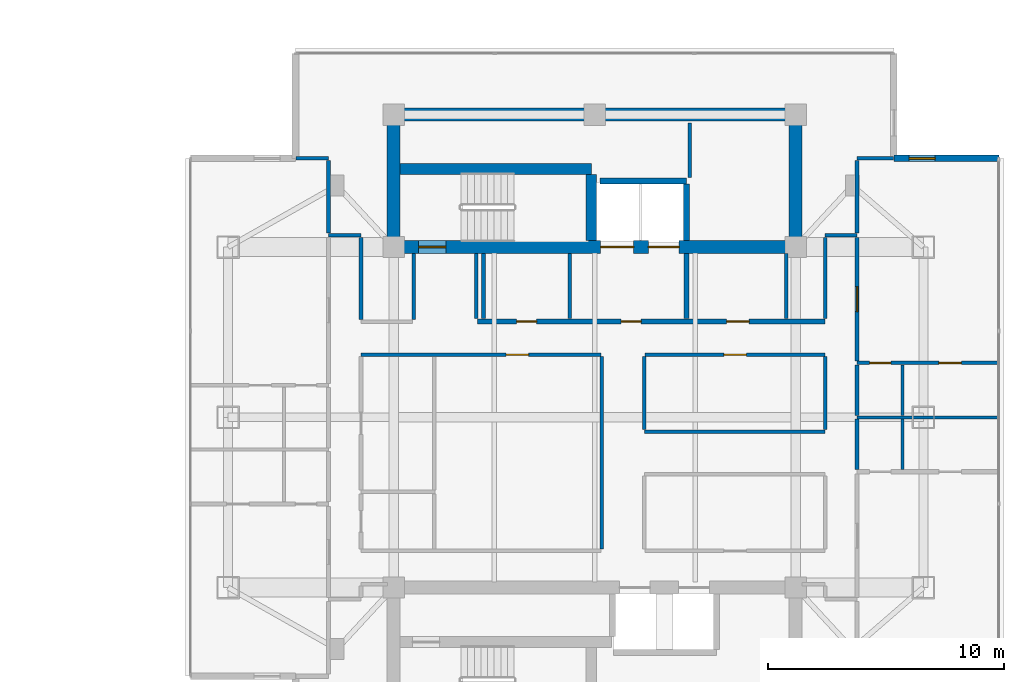
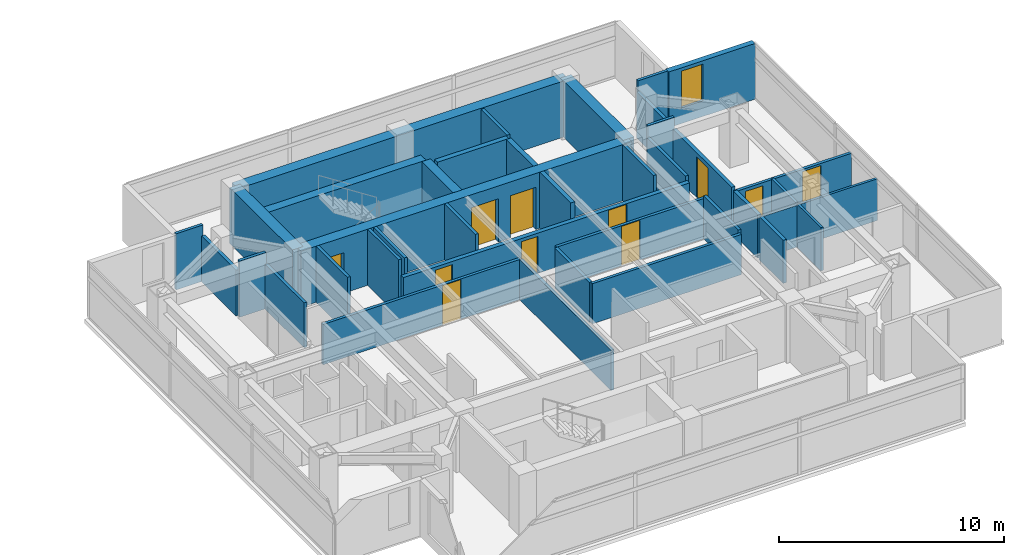
# One storey, part 17 of 24: 38 walls, 11 doors, 1 window, 12 openings.
"""IFC4 building model written with IfcOpenShell, lengths in metres."""

from ifc_helpers import new_model, si_unit, direction, frame, frame_2d, origin, place, context, subcontext, project, spatial, rectangle, extrude, material, layer, layer_set, type_object, element, fill, save


model = new_model("IFC4")

# Units and contexts
model_context = context("Model", 3, precision=1e-05, world=origin(), true_north=direction((0.0, 1.0)))
body_context = subcontext(model_context, "Body", "Model", "MODEL_VIEW")
ifc_project = project(units=[si_unit("LENGTHUNIT", "METRE"), si_unit("AREAUNIT", "SQUARE_METRE"), si_unit("VOLUMEUNIT", "CUBIC_METRE"), si_unit("PLANEANGLEUNIT", "RADIAN"), si_unit("MASSUNIT", "GRAM", prefix="KILO")], contexts=[model_context])

# Site, building, storey
site_placement = place(None, origin())
site = spatial("IfcSite", under=ifc_project, at=site_placement, CompositionType="ELEMENT")
building_placement = place(site_placement, origin())
building = spatial("IfcBuilding", under=site, at=building_placement, Name="Mirazonda Arch Towers", CompositionType="ELEMENT")
storey_placement = place(building_placement, frame((0.0, 0.0, 193.39990234375)))
storey = spatial("IfcBuildingStorey", under=building, at=storey_placement, Name="L55", CompositionType="ELEMENT", Elevation=193.39990234375)

# Walls
ifc_material_1 = material(Name="Concrete C50/60", Category="concrete")
ifc_layer_1 = layer(ifc_material_1, 0.449951171875, Name="WALL-CORE-450")
ifc_layer_set_1 = layer_set([ifc_layer_1], Name="Concrete C50/60")
wall_type_1 = type_object("IfcWallType", Name="WALL-CORE-450", PredefinedType="SHEAR", material=ifc_layer_set_1)
wall_1_placement = place(storey_placement, frame((68.27001953125, 38.5, 0.0), z_axis=(0.0, 0.0, 1.0), x_axis=(1.0, 0.0, 0.0)))
element("IfcWall", 1, at=wall_1_placement, inside=storey, type_object=wall_type_1, Name="L55 Stair Core Shear Wall 050", PredefinedType="SHEAR", context=body_context, shape_type="SweptSolid", body=[
    extrude(rectangle(XDim=8.090087890625, YDim=0.449951171875, at=frame_2d((4.044921875, 0.0))), origin(), (0.0, 0.0, 1.0), 3.050048828125),
])
wall_2_placement = place(storey_placement, frame((76.360107421875, 35.469970703125, 0.0), z_axis=(0.0, 0.0, 1.0), x_axis=(0.0, 1.0, 0.0)))
element("IfcWall", 2, at=wall_2_placement, inside=storey, type_object=wall_type_1, Name="L55 Stair Core Shear Wall 130", PredefinedType="SHEAR", context=body_context, shape_type="SweptSolid", body=[
    extrude(rectangle(XDim=2.794921875, YDim=0.449951171875, at=frame_2d((1.3974609375, 0.0))), origin(), (0.0, 0.0, 1.0), 3.050048828125),
])
ifc_layer_2 = layer(ifc_material_1, 0.550048828125, Name="WALL-CORE-550")
ifc_layer_set_2 = layer_set([ifc_layer_2], Name="Concrete C50/60")
wall_type_2 = type_object("IfcWallType", Name="WALL-CORE-550", PredefinedType="SHEAR", material=ifc_layer_set_2)
wall_3_placement = place(storey_placement, frame((68.0, 40.800048828125, 0.0), z_axis=(0.0, 0.0, 1.0), x_axis=(1.0, 0.0, 0.0)))
element("IfcWall", 3, at=wall_3_placement, inside=storey, type_object=wall_type_2, Name="L55 T2N-N Core Shear Wall", PredefinedType="SHEAR", context=body_context, shape_type="SweptSolid", body=[
    extrude(rectangle(XDim=17.0, YDim=0.550048828125, at=frame_2d((8.5, 0.0))), origin(), (0.0, 0.0, 1.0), 3.050048828125),
])
for number, where, z_axis, x_axis, name in (
    (4, (68.0, 35.199951171875, 0.0), (0.0, 0.0, 1.0), (0.0, 1.0, 0.0), "L55 T2N-W Core Shear Wall"),
    (5, (85.0, 35.199951171875, 0.0), (0.0, 0.0, 1.0), (0.0, 1.0, 0.0), "L55 T2N-E Core Shear Wall"),
):
    element("IfcWall", number, at=place(storey_placement, frame(where, z_axis=z_axis, x_axis=x_axis)), inside=storey, type_object=wall_type_2, Name=name, PredefinedType="SHEAR", context=body_context, shape_type="SweptSolid", body=[
        extrude(rectangle(XDim=5.60009765625, YDim=0.550048828125, at=frame_2d((2.800048828125, 0.0))), origin(), (0.0, 0.0, 1.0), 3.050048828125),
    ])

# Wall, openings, doors
wall_4_placement = place(storey_placement, frame((68.0, 35.199951171875, 0.0), z_axis=(0.0, 0.0, 1.0), x_axis=(1.0, 0.0, 0.0)))
wall_4 = element("IfcWall", 6, at=wall_4_placement, inside=storey, type_object=wall_type_2, Name="L55 T2N-S Core Shear Wall", PredefinedType="SHEAR", context=body_context, shape_type="SweptSolid", body=[
    extrude(rectangle(XDim=17.0, YDim=0.550048828125, at=frame_2d((8.5, 0.0))), origin(), (0.0, 0.0, 1.0), 3.050048828125),
])
opening_1_placement = place(wall_4_placement, frame((1.06005859375, 0.0, 0.0)))
opening_1 = element("IfcOpeningElement", 7, at=opening_1_placement, cuts=wall_4, Name="Opening DR-135", PredefinedType="OPENING", context=body_context, shape_type="SweptSolid", body=[
    extrude(rectangle(XDim=1.14990234375, YDim=2.199951171875, at=frame_2d((0.574951171875, 1.10009765625))), frame((0.0, 0.284912109375, 0.0), z_axis=(0.0, -1.0, 0.0), x_axis=(1.0, 0.0, 0.0)), (0.0, 0.0, 1.0), 0.570068359375),
])
opening_2_placement = place(wall_4_placement, frame((8.75, 0.0, 0.0)))
opening_2 = element("IfcOpeningElement", 8, at=opening_2_placement, cuts=wall_4, Name="Opening LD-112", PredefinedType="OPENING", context=body_context, shape_type="SweptSolid", body=[
    extrude(rectangle(XDim=1.39990234375, YDim=2.35009765625, at=frame_2d((0.699951171875, 1.175048828125))), frame((0.0, 0.284912109375, 0.0), z_axis=(0.0, -1.0, 0.0), x_axis=(1.0, 0.0, 0.0)), (0.0, 0.0, 1.0), 0.570068359375),
])
opening_3_placement = place(wall_4_placement, frame((10.77001953125, 0.0, 0.0)))
opening_3 = element("IfcOpeningElement", 9, at=opening_3_placement, cuts=wall_4, Name="Opening LD-111", PredefinedType="OPENING", context=body_context, shape_type="SweptSolid", body=[
    extrude(rectangle(XDim=1.300048828125, YDim=2.300048828125, at=frame_2d((0.64990234375, 1.14990234375))), frame((0.0, 0.284912109375, 0.0), z_axis=(0.0, -1.0, 0.0), x_axis=(1.0, 0.0, 0.0)), (0.0, 0.0, 1.0), 0.570068359375),
])
ifc_material_2 = material(Name="Architectural Brushed Steel S355", Category="steel")
door_type_1 = type_object("IfcDoorType", Name="DOOR-LIFT-FFL-1400", OperationType="NOTDEFINED", PredefinedType="DOOR", material=ifc_material_2)
door_1_placement = place(opening_2_placement, origin())
door_1 = element("IfcDoor", 10, at=door_1_placement, inside=storey, type_object=door_type_1, Name="L55 Lift Landing Sliding Door FFL-T2", OperationType="DOUBLE_DOOR_SLIDING", OverallHeight=2.35009765625, OverallWidth=1.39990234375, PredefinedType="DOOR", context=body_context, shape_type="SweptSolid", body=[
    extrude(rectangle(XDim=1.39990234375, YDim=2.35009765625, at=frame_2d((0.699951171875, 1.175048828125))), frame((0.0, 0.02490234375, 0.0), z_axis=(0.0, -1.0, 0.0), x_axis=(1.0, 0.0, 0.0)), (0.0, 0.0, 1.0), 0.050048828125),
])
fill(opening_2, door_1)
door_type_2 = type_object("IfcDoorType", Name="DOOR-LIFT-LAND-1300", OperationType="NOTDEFINED", PredefinedType="DOOR", material=ifc_material_2)
door_2_placement = place(opening_3_placement, origin())
door_2 = element("IfcDoor", 11, at=door_2_placement, inside=storey, type_object=door_type_2, Name="L55 Lift Landing Sliding Door SVL-T2", OperationType="DOUBLE_DOOR_SLIDING", OverallHeight=2.300048828125, OverallWidth=1.300048828125, PredefinedType="DOOR", context=body_context, shape_type="SweptSolid", body=[
    extrude(rectangle(XDim=1.300048828125, YDim=2.300048828125, at=frame_2d((0.64990234375, 1.14990234375))), frame((0.0, 0.02490234375, 0.0), z_axis=(0.0, -1.0, 0.0), x_axis=(1.0, 0.0, 0.0)), (0.0, 0.0, 1.0), 0.050048828125),
])
fill(opening_3, door_2)
door_type_3 = type_object("IfcDoorType", Name="DOOR-STAIR-FD90-1150", OperationType="NOTDEFINED", PredefinedType="DOOR", material=ifc_material_2)
door_3_placement = place(opening_1_placement, origin())
door_3 = element("IfcDoor", 12, at=door_3_placement, inside=storey, type_object=door_type_3, Name="L55 East Protected Stair North Door", OperationType="SINGLE_SWING_RIGHT", OverallHeight=2.199951171875, OverallWidth=1.14990234375, PredefinedType="DOOR", context=body_context, shape_type="SweptSolid", body=[
    extrude(rectangle(XDim=1.14990234375, YDim=2.199951171875, at=frame_2d((0.574951171875, 1.10009765625))), frame((0.0, 0.02490234375, 0.0), z_axis=(0.0, -1.0, 0.0), x_axis=(1.0, 0.0, 0.0)), (0.0, 0.0, 1.0), 0.050048828125),
])
fill(opening_1, door_3)

# Wall, opening, window
ifc_material_3 = material(Name="Precast Concrete C40/50", Category="concrete")
ifc_layer_3 = layer(ifc_material_3, 0.280029296875, Name="WALL-EXT-WALL-280")
ifc_layer_set_3 = layer_set([ifc_layer_3], Name="Precast Concrete C40/50")
wall_type_3 = type_object("IfcWallType", Name="WALL-EXT-WALL-280", PredefinedType="SOLIDWALL", material=ifc_layer_set_3)
wall_5_placement = place(storey_placement, frame((93.591552734375, 38.94873046875, 0.0), z_axis=(0.0, 0.0, 1.0), x_axis=(-1.0, 0.0, 0.0)))
wall_5 = element("IfcWall", 13, at=wall_5_placement, inside=storey, type_object=wall_type_3, Name="L55 T2 Corner Notch Return Wall WL-L55-T2-CNE2", PredefinedType="SOLIDWALL", context=body_context, shape_type="SweptSolid", body=[
    extrude(rectangle(XDim=4.439697265625, YDim=0.280029296875, at=frame_2d((2.2197265625, 0.0))), origin(), (0.0, 0.0, 1.0), 3.030029296875),
])
opening_4_placement = place(wall_5_placement, frame((2.68994140625, 0.0, 0.85009765625)))
opening_4 = element("IfcOpeningElement", 14, at=opening_4_placement, cuts=wall_5, Name="Opening WN-108", PredefinedType="OPENING", context=body_context, shape_type="SweptSolid", body=[
    extrude(rectangle(XDim=1.10009765625, YDim=2.0, at=frame_2d((0.550048828125, 1.0))), frame((0.0, 0.14990234375, 0.0), z_axis=(0.0, -1.0, 0.0), x_axis=(1.0, 0.0, 0.0)), (0.0, 0.0, 1.0), 0.300048828125),
])
ifc_material_4 = material(Name="Insulated Low-E Solar Glass", Category="glass")
window_type = type_object("IfcWindowType", Name="WIN-NOTCH-1100x2000", PartitioningType="SINGLE_PANEL", PredefinedType="WINDOW", material=ifc_material_4)
window_placement = place(opening_4_placement, origin())
window = element("IfcWindow", 15, at=window_placement, inside=storey, type_object=window_type, Name="L55 Punched Facade Window WN-L55-T2-CNE2", OverallHeight=2.0, OverallWidth=1.10009765625, PartitioningType="SINGLE_PANEL", PredefinedType="WINDOW", context=body_context, shape_type="SweptSolid", body=[
    extrude(rectangle(XDim=1.10009765625, YDim=2.0, at=frame_2d((0.550048828125, 1.0))), frame((0.0, 0.030029296875, 0.0), z_axis=(0.0, -1.0, 0.0), x_axis=(1.0, 0.0, 0.0)), (0.0, 0.0, 1.0), 0.06005859375),
])
fill(opening_4, window)

# Wall, openings, doors
ifc_material_5 = material(Name="Concrete C40/50", Category="concrete")
ifc_layer_4 = layer(ifc_material_5, 0.219970703125, Name="WALL-FFL-220")
ifc_layer_set_4 = layer_set([ifc_layer_4], Name="Concrete C40/50")
wall_type_4 = type_object("IfcWallType", Name="WALL-FFL-220", PredefinedType="SOLIDWALL", material=ifc_layer_set_4)
wall_6_placement = place(storey_placement, frame((71.550048828125, 32.050048828125, 0.0), z_axis=(0.0, 0.0, 1.0), x_axis=(1.0, 0.0, 0.0)))
wall_6 = element("IfcWall", 16, at=wall_6_placement, inside=storey, type_object=wall_type_4, Name="L55 Interior Partition 042", PredefinedType="SOLIDWALL", context=body_context, shape_type="SweptSolid", body=[
    extrude(rectangle(XDim=14.699951171875, YDim=0.219970703125, at=frame_2d((7.35009765625, 0.0))), origin(), (0.0, 0.0, 1.0), 2.18603515625),
])
opening_5_placement = place(wall_6_placement, frame((6.06494140625, 0.0, 0.0)))
opening_5 = element("IfcOpeningElement", 17, at=opening_5_placement, cuts=wall_6, Name="Opening DR-128", PredefinedType="OPENING", context=body_context, shape_type="SweptSolid", body=[
    extrude(rectangle(XDim=0.85009765625, YDim=2.010009765625, at=frame_2d((0.425048828125, 1.0048828125))), frame((0.0, 0.119873046875, 0.0), z_axis=(0.0, -1.0, 0.0), x_axis=(1.0, 0.0, 0.0)), (0.0, 0.0, 1.0), 0.239990234375),
])
opening_6_placement = place(wall_6_placement, frame((10.534912109375, 0.0, 0.0)))
opening_6 = element("IfcOpeningElement", 18, at=opening_6_placement, cuts=wall_6, Name="Opening DR-104", PredefinedType="OPENING", context=body_context, shape_type="SweptSolid", body=[
    extrude(rectangle(XDim=0.949951171875, YDim=2.14990234375, at=frame_2d((0.47509765625, 1.074951171875))), frame((0.0, 0.119873046875, 0.0), z_axis=(0.0, -1.0, 0.0), x_axis=(1.0, 0.0, 0.0)), (0.0, 0.0, 1.0), 0.239990234375),
])
opening_7_placement = place(wall_6_placement, frame((1.64990234375, 0.0, 0.0)))
opening_7 = element("IfcOpeningElement", 19, at=opening_7_placement, cuts=wall_6, Name="Opening DR-128", PredefinedType="OPENING", context=body_context, shape_type="SweptSolid", body=[
    extrude(rectangle(XDim=0.85009765625, YDim=2.010009765625, at=frame_2d((0.425048828125, 1.0048828125))), frame((0.0, 0.119873046875, 0.0), z_axis=(0.0, -1.0, 0.0), x_axis=(1.0, 0.0, 0.0)), (0.0, 0.0, 1.0), 0.239990234375),
])
door_type_4 = type_object("IfcDoorType", Name="DOOR-RISER-FD60-850", OperationType="NOTDEFINED", PredefinedType="DOOR", material=ifc_material_2)
door_4_placement = place(opening_5_placement, origin())
door_4 = element("IfcDoor", 20, at=door_4_placement, inside=storey, type_object=door_type_4, Name="L55 East Firefighting Lift Lobby Door", OperationType="SINGLE_SWING_LEFT", OverallHeight=2.010009765625, OverallWidth=0.85009765625, PredefinedType="DOOR", context=body_context, shape_type="SweptSolid", body=[
    extrude(rectangle(XDim=0.85009765625, YDim=2.010009765625, at=frame_2d((0.425048828125, 1.0048828125))), frame((0.0, 0.02490234375, 0.0), z_axis=(0.0, -1.0, 0.0), x_axis=(1.0, 0.0, 0.0)), (0.0, 0.0, 1.0), 0.050048828125),
])
fill(opening_5, door_4)
door_5_placement = place(opening_7_placement, origin())
door_5 = element("IfcDoor", 21, at=door_5_placement, inside=storey, type_object=door_type_4, Name="L55 Tower 2 Housekeeping & Linen Room Door", OperationType="SINGLE_SWING_LEFT", OverallHeight=2.010009765625, OverallWidth=0.85009765625, PredefinedType="DOOR", context=body_context, shape_type="SweptSolid", body=[
    extrude(rectangle(XDim=0.85009765625, YDim=2.010009765625, at=frame_2d((0.425048828125, 1.0048828125))), frame((0.0, 0.02490234375, 0.0), z_axis=(0.0, -1.0, 0.0), x_axis=(1.0, 0.0, 0.0)), (0.0, 0.0, 1.0), 0.050048828125),
])
fill(opening_7, door_5)
door_type_5 = type_object("IfcDoorType", Name="DOOR-ROOM-950", OperationType="NOTDEFINED", PredefinedType="DOOR", material=ifc_material_2)
door_6_placement = place(opening_6_placement, origin())
door_6 = element("IfcDoor", 22, at=door_6_placement, inside=storey, type_object=door_type_5, Name="L55 East Sky Reading Library Door", OperationType="SINGLE_SWING_RIGHT", OverallHeight=2.14990234375, OverallWidth=0.949951171875, PredefinedType="DOOR", context=body_context, shape_type="SweptSolid", body=[
    extrude(rectangle(XDim=0.949951171875, YDim=2.14990234375, at=frame_2d((0.47509765625, 1.074951171875))), frame((0.0, 0.02490234375, 0.0), z_axis=(0.0, -1.0, 0.0), x_axis=(1.0, 0.0, 0.0)), (0.0, 0.0, 1.0), 0.050048828125),
])
fill(opening_6, door_6)

# Walls
wall_7_placement = place(storey_placement, frame((80.3798828125, 32.169921875, 0.0), z_axis=(0.0, 0.0, 1.0), x_axis=(0.0, 1.0, 0.0)))
element("IfcWall", 23, at=wall_7_placement, inside=storey, type_object=wall_type_4, Name="L55 Interior Partition 135", PredefinedType="SOLIDWALL", context=body_context, shape_type="SweptSolid", body=[
    extrude(rectangle(XDim=2.760009765625, YDim=0.219970703125, at=frame_2d((1.3798828125, 0.0))), origin(), (0.0, 0.0, 1.0), 3.050048828125),
])
ifc_material_6 = material(Name="Fire-Rated Gypsum Stud Partition")
ifc_layer_5 = layer(ifc_material_6, 0.14990234375, Name="WALL-PART-CORR-150")
ifc_layer_set_5 = layer_set([ifc_layer_5], Name="Fire-Rated Gypsum Stud Partition")
wall_type_5 = type_object("IfcWallType", Name="WALL-PART-CORR-150", PredefinedType="PARTITIONING", material=ifc_layer_set_5)
wall_8_placement = place(storey_placement, frame((78.60009765625, 27.39990234375, 0.0), z_axis=(0.0, 0.0, 1.0), x_axis=(1.0, 0.0, 0.0)))
element("IfcWall", 24, at=wall_8_placement, inside=storey, type_object=wall_type_5, Name="L55 Interior Partition 033", PredefinedType="PARTITIONING", context=body_context, shape_type="SweptSolid", body=[
    extrude(rectangle(XDim=7.64990234375, YDim=0.14990234375, at=frame_2d((3.824951171875, 0.0))), origin(), (0.0, 0.0, 1.0), 2.18603515625),
])

# Wall, openings, doors
wall_9_placement = place(storey_placement, frame((87.60009765625, 30.300048828125, 0.0), z_axis=(0.0, 0.0, 1.0), x_axis=(1.0, 0.0, 0.0)))
wall_9 = element("IfcWall", 25, at=wall_9_placement, inside=storey, type_object=wall_type_5, Name="L55 Interior Partition 037", PredefinedType="PARTITIONING", context=body_context, shape_type="SweptSolid", body=[
    extrude(rectangle(XDim=5.990966796875, YDim=0.14990234375, at=frame_2d((2.99560546875, 0.0))), origin(), (0.0, 0.0, 1.0), 2.26904296875),
])
opening_8_placement = place(wall_9_placement, frame((3.458984375, 0.0, 0.0)))
opening_8 = element("IfcOpeningElement", 26, at=opening_8_placement, cuts=wall_9, Name="Opening DR-104", PredefinedType="OPENING", context=body_context, shape_type="SweptSolid", body=[
    extrude(rectangle(XDim=0.949951171875, YDim=2.14990234375, at=frame_2d((0.47509765625, 1.074951171875))), frame((0.0, 0.0849609375, 0.0), z_axis=(0.0, -1.0, 0.0), x_axis=(1.0, 0.0, 0.0)), (0.0, 0.0, 1.0), 0.169921875),
])
opening_9_placement = place(wall_9_placement, frame((0.528564453125, 0.0, 0.0)))
opening_9 = element("IfcOpeningElement", 27, at=opening_9_placement, cuts=wall_9, Name="Opening DR-120", PredefinedType="OPENING", context=body_context, shape_type="SweptSolid", body=[
    extrude(rectangle(XDim=0.89990234375, YDim=2.10009765625, at=frame_2d((0.449951171875, 1.050048828125))), frame((0.0, 0.0849609375, 0.0), z_axis=(0.0, -1.0, 0.0), x_axis=(1.0, 0.0, 0.0)), (0.0, 0.0, 1.0), 0.169921875),
])
door_7_placement = place(opening_8_placement, origin())
door_7 = element("IfcDoor", 28, at=door_7_placement, inside=storey, type_object=door_type_5, Name="L55 Studio 2 Galley Kitchen Door", OperationType="SINGLE_SWING_RIGHT", OverallHeight=2.14990234375, OverallWidth=0.949951171875, PredefinedType="DOOR", context=body_context, shape_type="SweptSolid", body=[
    extrude(rectangle(XDim=0.949951171875, YDim=2.14990234375, at=frame_2d((0.47509765625, 1.074951171875))), frame((0.0, 0.02490234375, 0.0), z_axis=(0.0, -1.0, 0.0), x_axis=(1.0, 0.0, 0.0)), (0.0, 0.0, 1.0), 0.050048828125),
])
fill(opening_8, door_7)
door_type_6 = type_object("IfcDoorType", Name="DOOR-WC-900", OperationType="NOTDEFINED", PredefinedType="DOOR", material=ifc_material_2)
door_8_placement = place(opening_9_placement, origin())
door_8 = element("IfcDoor", 29, at=door_8_placement, inside=storey, type_object=door_type_6, Name="L55 Studio 2 Bathroom Door", OperationType="SINGLE_SWING_LEFT", OverallHeight=2.10009765625, OverallWidth=0.89990234375, PredefinedType="DOOR", context=body_context, shape_type="SweptSolid", body=[
    extrude(rectangle(XDim=0.89990234375, YDim=2.10009765625, at=frame_2d((0.449951171875, 1.050048828125))), frame((0.0, 0.02490234375, 0.0), z_axis=(0.0, -1.0, 0.0), x_axis=(1.0, 0.0, 0.0)), (0.0, 0.0, 1.0), 0.050048828125),
])
fill(opening_9, door_8)

# Wall, opening, door
wall_10_placement = place(storey_placement, frame((66.6201171875, 30.64990234375, 0.0), z_axis=(0.0, 0.0, 1.0), x_axis=(1.0, 0.0, 0.0)))
wall_10 = element("IfcWall", 30, at=wall_10_placement, inside=storey, type_object=wall_type_5, Name="L55 Interior Partition 038", PredefinedType="PARTITIONING", context=body_context, shape_type="SweptSolid", body=[
    extrude(rectangle(XDim=10.139892578125, YDim=0.14990234375, at=frame_2d((5.06982421875, 0.0))), origin(), (0.0, 0.0, 1.0), 2.18603515625),
])
opening_10_placement = place(wall_10_placement, frame((6.139892578125, 0.0, 0.0)))
opening_10 = element("IfcOpeningElement", 31, at=opening_10_placement, cuts=wall_10, Name="Opening DR-104", PredefinedType="OPENING", context=body_context, shape_type="SweptSolid", body=[
    extrude(rectangle(XDim=0.949951171875, YDim=2.14990234375, at=frame_2d((0.47509765625, 1.074951171875))), frame((0.0, 0.0849609375, 0.0), z_axis=(0.0, -1.0, 0.0), x_axis=(1.0, 0.0, 0.0)), (0.0, 0.0, 1.0), 0.169921875),
])
door_9_placement = place(opening_10_placement, origin())
door_9 = element("IfcDoor", 32, at=door_9_placement, inside=storey, type_object=door_type_5, Name="L55 L55 East Courtyard Study Door", OperationType="SINGLE_SWING_LEFT", OverallHeight=2.14990234375, OverallWidth=0.949951171875, PredefinedType="DOOR", context=body_context, shape_type="SweptSolid", body=[
    extrude(rectangle(XDim=0.949951171875, YDim=2.14990234375, at=frame_2d((0.47509765625, 1.074951171875))), frame((0.0, 0.02490234375, 0.0), z_axis=(0.0, -1.0, 0.0), x_axis=(1.0, 0.0, 0.0)), (0.0, 0.0, 1.0), 0.050048828125),
])
fill(opening_10, door_9)

wall_11_placement = place(storey_placement, frame((78.639892578125, 30.64990234375, 0.0), z_axis=(0.0, 0.0, 1.0), x_axis=(1.0, 0.0, 0.0)))
wall_11 = element("IfcWall", 33, at=wall_11_placement, inside=storey, type_object=wall_type_5, Name="L55 Interior Partition 039", PredefinedType="PARTITIONING", context=body_context, shape_type="SweptSolid", body=[
    extrude(rectangle(XDim=7.610107421875, YDim=0.14990234375, at=frame_2d((3.80517578125, 0.0))), origin(), (0.0, 0.0, 1.0), 2.18603515625),
])
opening_11_placement = place(wall_11_placement, frame((3.330078125, 0.0, 0.0)))
opening_11 = element("IfcOpeningElement", 34, at=opening_11_placement, cuts=wall_11, Name="Opening DR-104", PredefinedType="OPENING", context=body_context, shape_type="SweptSolid", body=[
    extrude(rectangle(XDim=0.949951171875, YDim=2.14990234375, at=frame_2d((0.47509765625, 1.074951171875))), frame((0.0, 0.0849609375, 0.0), z_axis=(0.0, -1.0, 0.0), x_axis=(1.0, 0.0, 0.0)), (0.0, 0.0, 1.0), 0.169921875),
])
door_10_placement = place(opening_11_placement, origin())
door_10 = element("IfcDoor", 35, at=door_10_placement, inside=storey, type_object=door_type_5, Name="L55 L55 Tower 2 North-East Study Door", OperationType="SINGLE_SWING_LEFT", OverallHeight=2.14990234375, OverallWidth=0.949951171875, PredefinedType="DOOR", context=body_context, shape_type="SweptSolid", body=[
    extrude(rectangle(XDim=0.949951171875, YDim=2.14990234375, at=frame_2d((0.47509765625, 1.074951171875))), frame((0.0, 0.02490234375, 0.0), z_axis=(0.0, -1.0, 0.0), x_axis=(1.0, 0.0, 0.0)), (0.0, 0.0, 1.0), 0.050048828125),
])
fill(opening_11, door_10)

# Walls
wall_12_placement = place(storey_placement, frame((65.25, 35.699951171875, 0.0), z_axis=(0.0, 0.0, 1.0), x_axis=(1.0, 0.0, 0.0)))
element("IfcWall", 36, at=wall_12_placement, inside=storey, type_object=wall_type_5, Name="L55 Interior Partition 047", PredefinedType="PARTITIONING", context=body_context, shape_type="SweptSolid", body=[
    extrude(rectangle(XDim=1.3701171875, YDim=0.14990234375, at=frame_2d((0.68505859375, 0.0))), origin(), (0.0, 0.0, 1.0), 3.050048828125),
])
wall_13_placement = place(storey_placement, frame((86.25, 35.699951171875, 0.0), z_axis=(0.0, 0.0, 1.0), x_axis=(1.0, 0.0, 0.0)))
element("IfcWall", 37, at=wall_13_placement, inside=storey, type_object=wall_type_5, Name="L55 Interior Partition 048", PredefinedType="PARTITIONING", context=body_context, shape_type="SweptSolid", body=[
    extrude(rectangle(XDim=1.35009765625, YDim=0.14990234375, at=frame_2d((0.675048828125, 0.0))), origin(), (0.0, 0.0, 1.0), 3.050048828125),
])
wall_14_placement = place(storey_placement, frame((63.8681640625, 38.948974609375, 0.0), z_axis=(0.0, 0.0, 1.0), x_axis=(1.0, 0.0, 0.0)))
element("IfcWall", 38, at=wall_14_placement, inside=storey, type_object=wall_type_5, Name="L55 Interior Partition 051", PredefinedType="PARTITIONING", context=body_context, shape_type="SweptSolid", body=[
    extrude(rectangle(XDim=1.3818359375, YDim=0.14990234375, at=frame_2d((0.69091796875, 0.0))), origin(), (0.0, 0.0, 1.0), 3.050048828125),
])
wall_15_placement = place(storey_placement, frame((87.60009765625, 38.948974609375, 0.0), z_axis=(0.0, 0.0, 1.0), x_axis=(1.0, 0.0, 0.0)))
element("IfcWall", 39, at=wall_15_placement, inside=storey, type_object=wall_type_5, Name="L55 Interior Partition 052", PredefinedType="PARTITIONING", context=body_context, shape_type="SweptSolid", body=[
    extrude(rectangle(XDim=1.53173828125, YDim=0.14990234375, at=frame_2d((0.765869140625, 0.0))), origin(), (0.0, 0.0, 1.0), 3.050048828125),
])
wall_16_placement = place(storey_placement, frame((66.6201171875, 32.135009765625, 0.0), z_axis=(0.0, 0.0, 1.0), x_axis=(0.0, 1.0, 0.0)))
element("IfcWall", 40, at=wall_16_placement, inside=storey, type_object=wall_type_5, Name="L55 Interior Partition 122", PredefinedType="PARTITIONING", context=body_context, shape_type="SweptSolid", body=[
    extrude(rectangle(XDim=3.47998046875, YDim=0.14990234375, at=frame_2d((1.739990234375, 0.0))), origin(), (0.0, 0.0, 1.0), 2.442138671875),
])
wall_17_placement = place(storey_placement, frame((68.85009765625, 32.135009765625, 0.0), z_axis=(0.0, 0.0, 1.0), x_axis=(0.0, 1.0, 0.0)))
element("IfcWall", 41, at=wall_17_placement, inside=storey, type_object=wall_type_5, Name="L55 Interior Partition 123", PredefinedType="PARTITIONING", context=body_context, shape_type="SweptSolid", body=[
    extrude(rectangle(XDim=2.794921875, YDim=0.14990234375, at=frame_2d((1.3974609375, 0.0))), origin(), (0.0, 0.0, 1.0), 3.050048828125),
])
for number, where, z_axis, x_axis, name in (
    (42, (71.5, 32.169921875, 0.0), (0.0, 0.0, 1.0), (0.0, 1.0, 0.0), "L55 Interior Partition 126"),
    (43, (71.800048828125, 32.169921875, 0.0), (0.0, 0.0, 1.0), (0.0, 1.0, 0.0), "L55 Interior Partition 127"),
    (44, (75.449951171875, 32.169921875, 0.0), (0.0, 0.0, 1.0), (0.0, 1.0, 0.0), "L55 Interior Partition 128"),
):
    element("IfcWall", number, at=place(storey_placement, frame(where, z_axis=z_axis, x_axis=x_axis)), inside=storey, type_object=wall_type_5, Name=name, PredefinedType="PARTITIONING", context=body_context, shape_type="SweptSolid", body=[
        extrude(rectangle(XDim=2.760009765625, YDim=0.14990234375, at=frame_2d((1.3798828125, 0.0))), origin(), (0.0, 0.0, 1.0), 3.050048828125),
    ])
wall_18_placement = place(storey_placement, frame((76.800048828125, 22.43505859375, 0.0), z_axis=(0.0, 0.0, 1.0), x_axis=(0.0, 1.0, 0.0)))
element("IfcWall", 45, at=wall_18_placement, inside=storey, type_object=wall_type_5, Name="L55 Interior Partition 131", PredefinedType="PARTITIONING", context=body_context, shape_type="SweptSolid", body=[
    extrude(rectangle(XDim=8.1298828125, YDim=0.14990234375, at=frame_2d((4.06494140625, 0.0))), origin(), (0.0, 0.0, 1.0), 2.18603515625),
])
wall_19_placement = place(storey_placement, frame((78.60009765625, 27.485107421875, 0.0), z_axis=(0.0, 0.0, 1.0), x_axis=(0.0, 1.0, 0.0)))
element("IfcWall", 46, at=wall_19_placement, inside=storey, type_object=wall_type_5, Name="L55 Interior Partition 134", PredefinedType="PARTITIONING", context=body_context, shape_type="SweptSolid", body=[
    extrude(rectangle(XDim=3.079833984375, YDim=0.14990234375, at=frame_2d((1.5400390625, 0.0))), origin(), (0.0, 0.0, 1.0), 2.18603515625),
])
wall_20_placement = place(storey_placement, frame((80.52001953125, 38.135009765625, 0.0), z_axis=(0.0, 0.0, 1.0), x_axis=(0.0, 1.0, 0.0)))
element("IfcWall", 47, at=wall_20_placement, inside=storey, type_object=wall_type_5, Name="L55 Interior Partition 137", PredefinedType="PARTITIONING", context=body_context, shape_type="SweptSolid", body=[
    extrude(rectangle(XDim=2.31494140625, YDim=0.14990234375, at=frame_2d((1.157470703125, 0.0))), origin(), (0.0, 0.0, 1.0), 3.050048828125),
])
wall_21_placement = place(storey_placement, frame((84.60009765625, 32.169921875, 0.0), z_axis=(0.0, 0.0, 1.0), x_axis=(0.0, 1.0, 0.0)))
element("IfcWall", 48, at=wall_21_placement, inside=storey, type_object=wall_type_5, Name="L55 Interior Partition 139", PredefinedType="PARTITIONING", context=body_context, shape_type="SweptSolid", body=[
    extrude(rectangle(XDim=2.760009765625, YDim=0.14990234375, at=frame_2d((1.3798828125, 0.0))), origin(), (0.0, 0.0, 1.0), 3.050048828125),
])
wall_22_placement = place(storey_placement, frame((86.25, 27.485107421875, 0.0), z_axis=(0.0, 0.0, 1.0), x_axis=(0.0, 1.0, 0.0)))
element("IfcWall", 49, at=wall_22_placement, inside=storey, type_object=wall_type_5, Name="L55 Interior Partition 142", PredefinedType="PARTITIONING", context=body_context, shape_type="SweptSolid", body=[
    extrude(rectangle(XDim=3.079833984375, YDim=0.14990234375, at=frame_2d((1.5400390625, 0.0))), origin(), (0.0, 0.0, 1.0), 2.34619140625),
])
wall_23_placement = place(storey_placement, frame((86.25, 32.169921875, 0.0), z_axis=(0.0, 0.0, 1.0), x_axis=(0.0, 1.0, 0.0)))
element("IfcWall", 50, at=wall_23_placement, inside=storey, type_object=wall_type_5, Name="L55 Interior Partition 143", PredefinedType="PARTITIONING", context=body_context, shape_type="SweptSolid", body=[
    extrude(rectangle(XDim=3.445068359375, YDim=0.14990234375, at=frame_2d((1.72265625, 0.0))), origin(), (0.0, 0.0, 1.0), 2.442138671875),
])
ifc_material_7 = material(Name="Fire-Rated Gypsum Twin-Stud Assembly")
ifc_layer_6 = layer(ifc_material_7, 0.179931640625, Name="WALL-PART-DEMISE-180")
ifc_layer_set_6 = layer_set([ifc_layer_6], Name="Fire-Rated Gypsum Twin-Stud Assembly")
wall_type_6 = type_object("IfcWallType", Name="WALL-PART-DEMISE-180", PredefinedType="PARTITIONING", material=ifc_layer_set_6)
wall_24_placement = place(storey_placement, frame((65.25, 35.784912109375, 0.0), z_axis=(0.0, 0.0, 1.0), x_axis=(0.0, 1.0, 0.0)))
element("IfcWall", 51, at=wall_24_placement, inside=storey, type_object=wall_type_6, Name="L55 Interior Partition 118", PredefinedType="PARTITIONING", context=body_context, shape_type="SweptSolid", body=[
    extrude(rectangle(XDim=3.0791015625, YDim=0.179931640625, at=frame_2d((1.53955078125, 0.0))), origin(), (0.0, 0.0, 1.0), 2.4931640625),
])
wall_25_placement = place(storey_placement, frame((87.60009765625, 25.800048828125, 0.0), z_axis=(0.0, 0.0, 1.0), x_axis=(0.0, 1.0, 0.0)))
element("IfcWall", 52, at=wall_25_placement, inside=storey, type_object=wall_type_6, Name="L55 Interior Partition 146", PredefinedType="PARTITIONING", context=body_context, shape_type="SweptSolid", body=[
    extrude(rectangle(XDim=2.12744140625, YDim=0.179931640625, at=frame_2d((1.063720703125, 0.0))), origin(), (0.0, 0.0, 1.0), 2.34619140625),
])
wall_26_placement = place(storey_placement, frame((87.60009765625, 28.072509765625, 0.0), z_axis=(0.0, 0.0, 1.0), x_axis=(0.0, 1.0, 0.0)))
element("IfcWall", 53, at=wall_26_placement, inside=storey, type_object=wall_type_6, Name="L55 Interior Partition 147", PredefinedType="PARTITIONING", context=body_context, shape_type="SweptSolid", body=[
    extrude(rectangle(XDim=2.142578125, YDim=0.179931640625, at=frame_2d((1.0712890625, 0.0))), origin(), (0.0, 0.0, 1.0), 2.34619140625),
])

# Wall, opening, door
wall_27_placement = place(storey_placement, frame((87.60009765625, 30.385009765625, 0.0), z_axis=(0.0, 0.0, 1.0), x_axis=(0.0, 1.0, 0.0)))
wall_27 = element("IfcWall", 54, at=wall_27_placement, inside=storey, type_object=wall_type_6, Name="L55 Interior Partition 148", PredefinedType="PARTITIONING", context=body_context, shape_type="SweptSolid", body=[
    extrude(rectangle(XDim=5.22998046875, YDim=0.179931640625, at=frame_2d((2.614990234375, 0.0))), origin(), (0.0, 0.0, 1.0), 2.442138671875),
])
opening_12_placement = place(wall_27_placement, frame((2.090087890625, 0.0, 0.0)))
opening_12 = element("IfcOpeningElement", 55, at=opening_12_placement, cuts=wall_27, Name="Opening DR-121", PredefinedType="OPENING", context=body_context, shape_type="SweptSolid", body=[
    extrude(rectangle(XDim=1.050048828125, YDim=2.199951171875, at=frame_2d((0.52490234375, 1.10009765625))), frame((0.0, 0.099853515625, 0.0), z_axis=(0.0, -1.0, 0.0), x_axis=(1.0, 0.0, 0.0)), (0.0, 0.0, 1.0), 0.199951171875),
])
door_type_7 = type_object("IfcDoorType", Name="DOOR-SUITE-FD60-1050", OperationType="NOTDEFINED", PredefinedType="DOOR", material=ifc_material_2)
door_11_placement = place(opening_12_placement, origin())
door_11 = element("IfcDoor", 56, at=door_11_placement, inside=storey, type_object=door_type_7, Name="L55 Studio Apartment 2 Living Salon Door", OperationType="SINGLE_SWING_LEFT", OverallHeight=2.199951171875, OverallWidth=1.050048828125, PredefinedType="DOOR", context=body_context, shape_type="SweptSolid", body=[
    extrude(rectangle(XDim=1.050048828125, YDim=2.199951171875, at=frame_2d((0.52490234375, 1.10009765625))), frame((0.0, 0.02490234375, 0.0), z_axis=(0.0, -1.0, 0.0), x_axis=(1.0, 0.0, 0.0)), (0.0, 0.0, 1.0), 0.050048828125),
])
fill(opening_12, door_11)

# Walls
wall_28_placement = place(storey_placement, frame((87.60009765625, 35.784912109375, 0.0), z_axis=(0.0, 0.0, 1.0), x_axis=(0.0, 1.0, 0.0)))
element("IfcWall", 57, at=wall_28_placement, inside=storey, type_object=wall_type_6, Name="L55 Interior Partition 149", PredefinedType="PARTITIONING", context=body_context, shape_type="SweptSolid", body=[
    extrude(rectangle(XDim=3.0791015625, YDim=0.179931640625, at=frame_2d((1.53955078125, 0.0))), origin(), (0.0, 0.0, 1.0), 2.4931640625),
])
ifc_material_8 = material(Name="Acoustic Fire-Rated Gypsum Partition")
ifc_layer_7 = layer(ifc_material_8, 0.125, Name="WALL-PART-UNIT-125")
ifc_layer_set_7 = layer_set([ifc_layer_7], Name="Acoustic Fire-Rated Gypsum Partition")
wall_type_7 = type_object("IfcWallType", Name="WALL-PART-UNIT-125", PredefinedType="PARTITIONING", material=ifc_layer_set_7)
wall_29_placement = place(storey_placement, frame((87.60009765625, 28.0, 0.0), z_axis=(0.0, 0.0, 1.0), x_axis=(1.0, 0.0, 0.0)))
element("IfcWall", 58, at=wall_29_placement, inside=storey, type_object=wall_type_7, Name="L55 Interior Partition 034", PredefinedType="PARTITIONING", context=body_context, shape_type="SweptSolid", body=[
    extrude(rectangle(XDim=5.990966796875, YDim=0.125, at=frame_2d((2.99560546875, 0.0))), origin(), (0.0, 0.0, 1.0), 2.26904296875),
])
wall_30_placement = place(storey_placement, frame((89.51708984375, 25.800048828125, 0.0), z_axis=(0.0, 0.0, 1.0), x_axis=(0.0, 1.0, 0.0)))
element("IfcWall", 59, at=wall_30_placement, inside=storey, type_object=wall_type_7, Name="L55 Interior Partition 150", PredefinedType="PARTITIONING", context=body_context, shape_type="SweptSolid", body=[
    extrude(rectangle(XDim=2.12744140625, YDim=0.125, at=frame_2d((1.063720703125, 0.0))), origin(), (0.0, 0.0, 1.0), 2.34619140625),
])
wall_31_placement = place(storey_placement, frame((89.51708984375, 28.072509765625, 0.0), z_axis=(0.0, 0.0, 1.0), x_axis=(0.0, 1.0, 0.0)))
element("IfcWall", 60, at=wall_31_placement, inside=storey, type_object=wall_type_7, Name="L55 Interior Partition 151", PredefinedType="PARTITIONING", context=body_context, shape_type="SweptSolid", body=[
    extrude(rectangle(XDim=2.142578125, YDim=0.125, at=frame_2d((1.0712890625, 0.0))), origin(), (0.0, 0.0, 1.0), 2.34619140625),
])
ifc_layer_8 = layer(ifc_material_5, 0.25, Name="WALL-SHAFT-250")
ifc_layer_set_8 = layer_set([ifc_layer_8], Name="Concrete C40/50")
wall_type_8 = type_object("IfcWallType", Name="WALL-SHAFT-250", PredefinedType="SOLIDWALL", material=ifc_layer_set_8)
wall_32_placement = place(storey_placement, frame((76.719970703125, 38.0, 0.0), z_axis=(0.0, 0.0, 1.0), x_axis=(1.0, 0.0, 0.0)))
element("IfcWall", 61, at=wall_32_placement, inside=storey, type_object=wall_type_8, Name="L55 Interior Partition 049", PredefinedType="SOLIDWALL", context=body_context, shape_type="SweptSolid", body=[
    extrude(rectangle(XDim=3.659912109375, YDim=0.25, at=frame_2d((1.830078125, 0.0))), origin(), (0.0, 0.0, 1.0), 3.050048828125),
])
wall_33_placement = place(storey_placement, frame((80.3798828125, 35.469970703125, 0.0), z_axis=(0.0, 0.0, 1.0), x_axis=(0.0, 1.0, 0.0)))
element("IfcWall", 62, at=wall_33_placement, inside=storey, type_object=wall_type_8, Name="L55 Interior Partition 136", PredefinedType="SOLIDWALL", context=body_context, shape_type="SweptSolid", body=[
    extrude(rectangle(XDim=2.39501953125, YDim=0.25, at=frame_2d((1.197509765625, 0.0))), origin(), (0.0, 0.0, 1.0), 3.050048828125),
])

save(model, "model.ifc")
